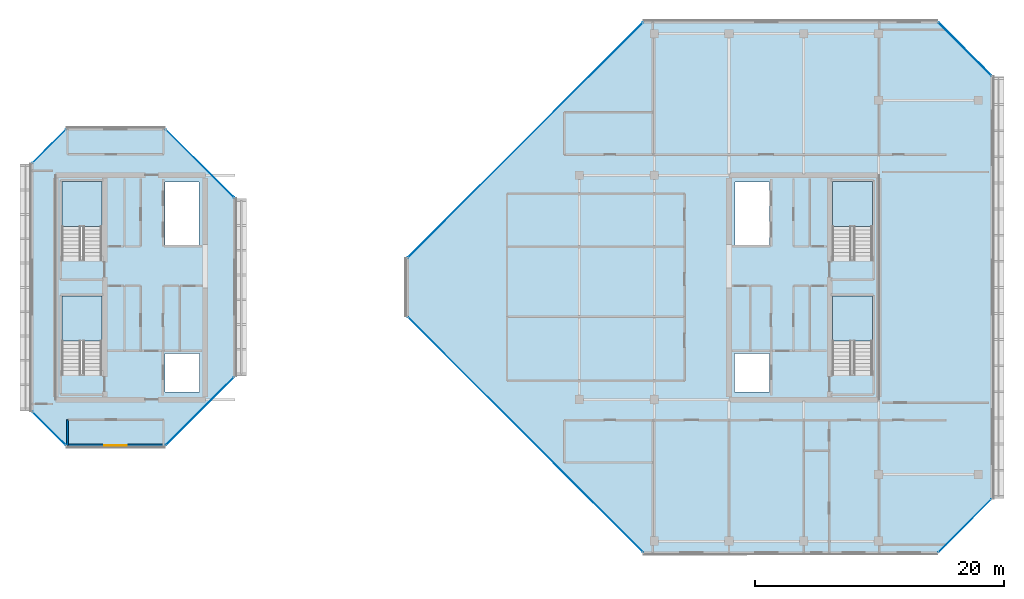
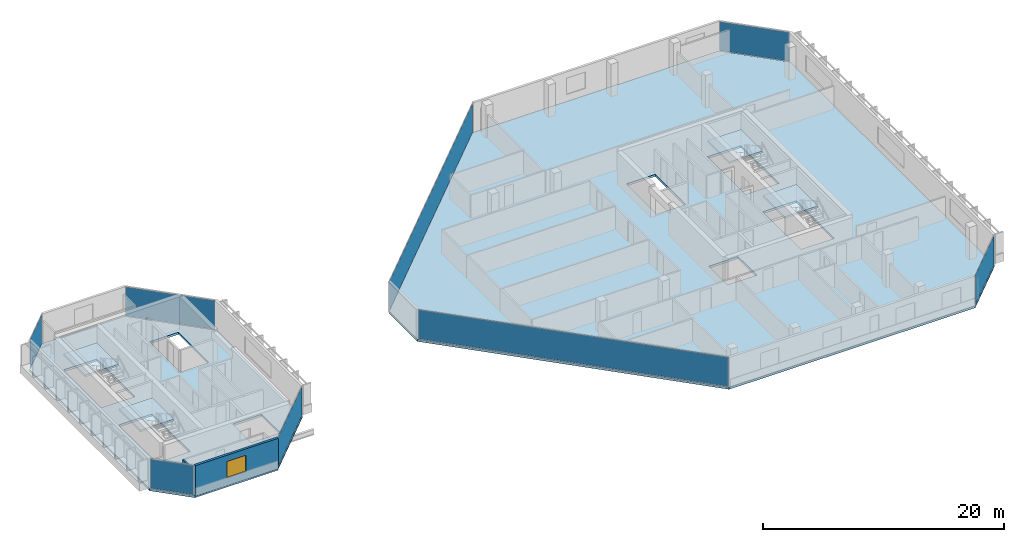
# One storey, part 20 of 29: 8 plates, 6 slabs, 2 walls, 1 window, 1 opening, 12 elements without a shape of their own.
"""IFC4 building model written with IfcOpenShell, lengths in metres."""

from ifc_helpers import new_model, si_unit, direction, frame, frame_2d, origin, origin_2d, place, context, subcontext, project, spatial, polyline, rectangle, outline, extrude, material, layer, layer_set, type_object, element, fill, aggregate, save


model = new_model("IFC4")

# Units and contexts
model_context = context("Model", 3, precision=1e-05, world=origin(), true_north=direction((0.0, 1.0)))
body_context = subcontext(model_context, "Body", "Model", "MODEL_VIEW")
ifc_project = project(units=[si_unit("LENGTHUNIT", "METRE"), si_unit("AREAUNIT", "SQUARE_METRE"), si_unit("VOLUMEUNIT", "CUBIC_METRE"), si_unit("PLANEANGLEUNIT", "RADIAN"), si_unit("MASSUNIT", "GRAM", prefix="KILO")], contexts=[model_context])

# Site, building, storey
site_placement = place(None, origin())
site = spatial("IfcSite", under=ifc_project, at=site_placement, CompositionType="ELEMENT")
building_placement = place(site_placement, origin())
building = spatial("IfcBuilding", under=site, at=building_placement, Name="Tanjung Sevakor Pilgrim Tower", CompositionType="ELEMENT")
storey_placement = place(building_placement, frame((0.0, 0.0, 232.64990234375)))
storey = spatial("IfcBuildingStorey", under=building, at=storey_placement, Name="L65", CompositionType="ELEMENT", Elevation=232.64990234375)

# Stair, slab
ifc_material_1 = material(Name="Concrete C40/50", Category="concrete")
stair_type = type_object("IfcStairType", Name="STAIR-ST-CR150", PredefinedType="HALF_TURN_STAIR", material=ifc_material_1)
stair_1_placement = place(storey_placement, origin())
stair_1 = element("IfcStair", 1, at=stair_1_placement, inside=storey, type_object=stair_type, Name="L65 West Core Exit Stair 1", PredefinedType="HALF_TURN_STAIR")
ifc_material_2 = material(Name="Concrete C40/50", Category="concrete")
ifc_layer_1 = layer(ifc_material_2, 0.199951171875)
ifc_layer_set_1 = layer_set([ifc_layer_1], Name="SL-LAND-200")
slab_type_1 = type_object("IfcSlabType", Name="SL-LAND-200", PredefinedType="LANDING", material=ifc_layer_set_1)
slab_1_placement = place(storey_placement, frame((0.0, 0.0, 1.4501953125)))
slab_1 = element("IfcSlab", 2, at=slab_1_placement, type_object=slab_type_1, Name="TS-W1 landing 1", PredefinedType="LANDING", context=body_context, shape_type="SweptSolid", body=[
    extrude(outline(polyline([(27.699951171875, 29.300048828125), (27.699951171875, 32.89990234375), (24.5, 32.89990234375), (24.5, 29.300048828125), (27.699951171875, 29.300048828125)])), origin(), (0.0, 0.0, 1.0), 0.199951171875),
])
aggregate(stair_1, [slab_1])

stair_2_placement = place(storey_placement, origin())
stair_2 = element("IfcStair", 3, at=stair_2_placement, inside=storey, type_object=stair_type, Name="L65 West Core Exit Stair 2", PredefinedType="HALF_TURN_STAIR")
slab_2_placement = place(storey_placement, frame((0.0, 0.0, 1.4501953125)))
slab_2 = element("IfcSlab", 4, at=slab_2_placement, type_object=slab_type_1, Name="TS-W2 landing 1", PredefinedType="LANDING", context=body_context, shape_type="SweptSolid", body=[
    extrude(outline(polyline([(27.699951171875, 38.5), (27.699951171875, 42.10009765625), (24.5, 42.10009765625), (24.5, 38.5), (27.699951171875, 38.5)])), origin(), (0.0, 0.0, 1.0), 0.199951171875),
])
aggregate(stair_2, [slab_2])

stair_3_placement = place(storey_placement, origin())
stair_3 = element("IfcStair", 5, at=stair_3_placement, inside=storey, type_object=stair_type, Name="L65 East Core Exit Stair 1", PredefinedType="HALF_TURN_STAIR")
slab_3_placement = place(storey_placement, frame((0.0, 0.0, 1.4501953125)))
slab_3 = element("IfcSlab", 6, at=slab_3_placement, type_object=slab_type_1, Name="TS-E1 landing 1", PredefinedType="LANDING", context=body_context, shape_type="SweptSolid", body=[
    extrude(outline(polyline([(89.5, 29.300048828125), (89.5, 32.89990234375), (86.300048828125, 32.89990234375), (86.300048828125, 29.300048828125), (89.5, 29.300048828125)])), origin(), (0.0, 0.0, 1.0), 0.199951171875),
])
aggregate(stair_3, [slab_3])

stair_4_placement = place(storey_placement, origin())
stair_4 = element("IfcStair", 7, at=stair_4_placement, inside=storey, type_object=stair_type, Name="L65 East Core Exit Stair 2", PredefinedType="HALF_TURN_STAIR")
slab_4_placement = place(storey_placement, frame((0.0, 0.0, 1.4501953125)))
slab_4 = element("IfcSlab", 8, at=slab_4_placement, type_object=slab_type_1, Name="TS-E2 landing 1", PredefinedType="LANDING", context=body_context, shape_type="SweptSolid", body=[
    extrude(outline(polyline([(89.5, 38.5), (89.5, 42.10009765625), (86.300048828125, 42.10009765625), (86.300048828125, 38.5), (89.5, 38.5)])), origin(), (0.0, 0.0, 1.0), 0.199951171875),
])
aggregate(stair_4, [slab_4])

# Slabs
ifc_material_3 = material(Name="Concrete C40/50", Category="concrete")
ifc_layer_2 = layer(ifc_material_3, 0.219970703125)
ifc_layer_set_2 = layer_set([ifc_layer_2], Name="SL-TWR-220")
slab_type_2 = type_object("IfcSlabType", Name="SL-TWR-220", PredefinedType="FLOOR", material=ifc_layer_set_2)
slab_5_placement = place(storey_placement, frame((0.0, 0.0, -0.219970703125)))
element("IfcSlab", 9, at=slab_5_placement, inside=storey, type_object=slab_type_2, Name="L65 Floor Slab WEST", PredefinedType="FLOOR", context=body_context, shape_type="SweptSolid", body=[
    extrude(outline(polyline([(24.846923828125, 20.8798828125), (32.802978515625, 20.8798828125), (38.3701171875, 26.447021484375), (38.3701171875, 40.753173828125), (32.802978515625, 46.320068359375), (24.846923828125, 46.320068359375), (22.080078125, 43.552978515625), (22.080078125, 23.64697265625), (24.846923828125, 20.8798828125)]), holes=[polyline([(27.699951171875, 26.60009765625), (27.699951171875, 32.89990234375), (24.5, 32.89990234375), (24.5, 26.60009765625), (27.699951171875, 26.60009765625)]), polyline([(27.699951171875, 35.800048828125), (27.699951171875, 42.10009765625), (24.5, 42.10009765625), (24.5, 35.800048828125), (27.699951171875, 35.800048828125)]), polyline([(32.75, 25.199951171875), (35.550048828125, 25.199951171875), (35.550048828125, 28.300048828125), (32.75, 28.300048828125), (32.75, 25.199951171875)]), polyline([(32.75, 37.0), (35.5, 37.0), (35.5, 42.050048828125), (32.75, 42.050048828125), (32.75, 37.0)])]), origin(), (0.0, 0.0, 1.0), 0.219970703125),
])
slab_6_placement = place(storey_placement, frame((0.0, 0.0, -0.219970703125)))
element("IfcSlab", 10, at=slab_6_placement, inside=storey, type_object=slab_type_2, Name="L65 Floor Slab EAST", PredefinedType="FLOOR", context=body_context, shape_type="SweptSolid", body=[
    extrude(outline(polyline([(71.14697265625, 12.280029296875), (94.753173828125, 12.280029296875), (99.1201171875, 16.64697265625), (99.1201171875, 50.552978515625), (94.753173828125, 54.919921875), (71.14697265625, 54.919921875), (52.179931640625, 35.953125), (52.179931640625, 31.246826171875), (71.14697265625, 12.280029296875)]), holes=[polyline([(89.5, 26.60009765625), (89.5, 32.89990234375), (86.300048828125, 32.89990234375), (86.300048828125, 26.60009765625), (89.5, 26.60009765625)]), polyline([(89.5, 35.800048828125), (89.5, 42.10009765625), (86.300048828125, 42.10009765625), (86.300048828125, 35.800048828125), (89.5, 35.800048828125)]), polyline([(78.449951171875, 25.199951171875), (81.25, 25.199951171875), (81.25, 28.300048828125), (78.449951171875, 28.300048828125), (78.449951171875, 25.199951171875)]), polyline([(78.5, 37.0), (81.25, 37.0), (81.25, 42.050048828125), (78.5, 42.050048828125), (78.5, 37.0)])]), origin(), (0.0, 0.0, 1.0), 0.219970703125),
])

# Curtain wall, plate
ifc_material_4 = material(Name="Aluminium 6063-T6 and Low-E Glass", Category="aluminium")
ifc_layer_3 = layer(ifc_material_4, 0.179931640625)
ifc_layer_set_3 = layer_set([ifc_layer_3], Name="CW-SYS-CHAM")
curtain_wall_type = type_object("IfcCurtainWallType", Name="CW-SYS-CHAM", PredefinedType="NOTDEFINED", material=ifc_layer_set_3)
curtain_wall_1_placement = place(storey_placement, origin())
curtain_wall_1 = element("IfcCurtainWall", 11, at=curtain_wall_1_placement, inside=storey, type_object=curtain_wall_type, Name="L65 Curtain Wall CW-CHM-L65-WEST-1", PredefinedType="NOTDEFINED")
ifc_material_5 = material(Name="Laminated Low-E Double Glazing", Category="glass")
ifc_layer_4 = layer(ifc_material_5, 0.028076171875)
ifc_layer_set_4 = layer_set([ifc_layer_4], Name="TYPE-CWP-GLZ1")
plate_type = type_object("IfcPlateType", Name="TYPE-CWP-GLZ1", PredefinedType="CURTAIN_PANEL", material=ifc_layer_set_4)
plate_1_placement = place(storey_placement, frame((35.572265625, 23.677734375, 0.06494140625), z_axis=(0.0, 0.0, 1.0), x_axis=(0.707106781187, 0.707106781187, 0.0)))
plate_1 = element("IfcPlate", 12, at=plate_1_placement, type_object=plate_type, Name="CW-CHM panel 1.1", PredefinedType="CURTAIN_PANEL", context=body_context, shape_type="SweptSolid", body=[
    extrude(rectangle(XDim=7.698486328125, YDim=0.028076171875, at=origin_2d()), origin(), (0.0, 0.0, 1.0), 2.949951171875),
])
aggregate(curtain_wall_1, [plate_1])

curtain_wall_2_placement = place(storey_placement, origin())
curtain_wall_2 = element("IfcCurtainWall", 13, at=curtain_wall_2_placement, inside=storey, type_object=curtain_wall_type, Name="L65 Curtain Wall CW-CHM-L65-WEST-3", PredefinedType="NOTDEFINED")
plate_2_placement = place(storey_placement, frame((35.572265625, 43.522216796875, 0.06494140625), z_axis=(0.0, 0.0, 1.0), x_axis=(-0.707106781187, 0.707106781187, 0.0)))
plate_2 = element("IfcPlate", 14, at=plate_2_placement, type_object=plate_type, Name="CW-CHM panel 1.1", PredefinedType="CURTAIN_PANEL", context=body_context, shape_type="SweptSolid", body=[
    extrude(rectangle(XDim=7.698486328125, YDim=0.028076171875, at=origin_2d()), origin(), (0.0, 0.0, 1.0), 2.949951171875),
])
aggregate(curtain_wall_2, [plate_2])

curtain_wall_3_placement = place(storey_placement, origin())
curtain_wall_3 = element("IfcCurtainWall", 15, at=curtain_wall_3_placement, inside=storey, type_object=curtain_wall_type, Name="L65 Curtain Wall CW-CHM-L65-WEST-5", PredefinedType="NOTDEFINED")
plate_3_placement = place(storey_placement, frame((23.477783203125, 44.922119140625, 0.06494140625), z_axis=(0.0, 0.0, 1.0), x_axis=(-0.707106781187, -0.707106781187, 0.0)))
plate_3 = element("IfcPlate", 16, at=plate_3_placement, type_object=plate_type, Name="CW-CHM panel 1.1", PredefinedType="CURTAIN_PANEL", context=body_context, shape_type="SweptSolid", body=[
    extrude(rectangle(XDim=3.73876953125, YDim=0.028076171875, at=origin_2d()), origin(), (0.0, 0.0, 1.0), 2.949951171875),
])
aggregate(curtain_wall_3, [plate_3])

curtain_wall_4_placement = place(storey_placement, origin())
curtain_wall_4 = element("IfcCurtainWall", 17, at=curtain_wall_4_placement, inside=storey, type_object=curtain_wall_type, Name="L65 Curtain Wall CW-CHM-L65-WEST-7", PredefinedType="NOTDEFINED")
plate_4_placement = place(storey_placement, frame((23.477783203125, 22.27783203125, 0.06494140625), z_axis=(0.0, 0.0, 1.0), x_axis=(0.707106781187, -0.707106781187, 0.0)))
plate_4 = element("IfcPlate", 18, at=plate_4_placement, type_object=plate_type, Name="CW-CHM panel 1.1", PredefinedType="CURTAIN_PANEL", context=body_context, shape_type="SweptSolid", body=[
    extrude(rectangle(XDim=3.73876953125, YDim=0.028076171875, at=origin_2d()), origin(), (0.0, 0.0, 1.0), 2.949951171875),
])
aggregate(curtain_wall_4, [plate_4])

curtain_wall_5_placement = place(storey_placement, origin())
curtain_wall_5 = element("IfcCurtainWall", 19, at=curtain_wall_5_placement, inside=storey, type_object=curtain_wall_type, Name="L65 Curtain Wall CW-CHM-L65-EAST-1", PredefinedType="NOTDEFINED")
plate_5_placement = place(storey_placement, frame((96.922119140625, 14.477783203125, 0.06494140625), z_axis=(0.0, 0.0, 1.0), x_axis=(0.707106781187, 0.707106781187, 0.0)))
plate_5 = element("IfcPlate", 20, at=plate_5_placement, type_object=plate_type, Name="CW-CHM panel 1.1", PredefinedType="CURTAIN_PANEL", context=body_context, shape_type="SweptSolid", body=[
    extrude(rectangle(XDim=6.00146484375, YDim=0.028076171875, at=origin_2d()), origin(), (0.0, 0.0, 1.0), 2.949951171875),
])
aggregate(curtain_wall_5, [plate_5])

curtain_wall_6_placement = place(storey_placement, origin())
curtain_wall_6 = element("IfcCurtainWall", 21, at=curtain_wall_6_placement, inside=storey, type_object=curtain_wall_type, Name="L65 Curtain Wall CW-CHM-L65-EAST-3", PredefinedType="NOTDEFINED")
plate_6_placement = place(storey_placement, frame((96.922119140625, 52.72216796875, 0.06494140625), z_axis=(0.0, 0.0, 1.0), x_axis=(-0.707106781187, 0.707106781187, 0.0)))
plate_6 = element("IfcPlate", 22, at=plate_6_placement, type_object=plate_type, Name="CW-CHM panel 1.1", PredefinedType="CURTAIN_PANEL", context=body_context, shape_type="SweptSolid", body=[
    extrude(rectangle(XDim=6.00146484375, YDim=0.028076171875, at=origin_2d()), origin(), (0.0, 0.0, 1.0), 2.949951171875),
])
aggregate(curtain_wall_6, [plate_6])

curtain_wall_7_placement = place(storey_placement, origin())
curtain_wall_7 = element("IfcCurtainWall", 23, at=curtain_wall_7_placement, inside=storey, type_object=curtain_wall_type, Name="L65 Curtain Wall CW-CHM-L65-EAST-5", PredefinedType="NOTDEFINED")
plate_7_placement = place(storey_placement, frame((61.677734375, 45.422119140625, 0.06494140625), z_axis=(0.0, 0.0, 1.0), x_axis=(-0.707106781187, -0.707106781187, 0.0)))
plate_7 = element("IfcPlate", 24, at=plate_7_placement, type_object=plate_type, Name="CW-CHM panel 1.1", PredefinedType="CURTAIN_PANEL", context=body_context, shape_type="SweptSolid", body=[
    extrude(rectangle(XDim=26.64892578125, YDim=0.028076171875, at=origin_2d()), origin(), (0.0, 0.0, 1.0), 2.949951171875),
])
aggregate(curtain_wall_7, [plate_7])

curtain_wall_8_placement = place(storey_placement, origin())
curtain_wall_8 = element("IfcCurtainWall", 25, at=curtain_wall_8_placement, inside=storey, type_object=curtain_wall_type, Name="L65 Curtain Wall CW-CHM-L65-EAST-7", PredefinedType="NOTDEFINED")
plate_8_placement = place(storey_placement, frame((61.677734375, 21.77783203125, 0.06494140625), z_axis=(0.0, 0.0, 1.0), x_axis=(0.707106781187, -0.707106781187, 0.0)))
plate_8 = element("IfcPlate", 26, at=plate_8_placement, type_object=plate_type, Name="CW-CHM panel 1.1", PredefinedType="CURTAIN_PANEL", context=body_context, shape_type="SweptSolid", body=[
    extrude(rectangle(XDim=26.64892578125, YDim=0.028076171875, at=origin_2d()), origin(), (0.0, 0.0, 1.0), 2.949951171875),
])
aggregate(curtain_wall_8, [plate_8])

# Wall
ifc_material_6 = material(Name="Concrete C40/50", Category="concrete")
ifc_layer_5 = layer(ifc_material_6, 0.14990234375)
ifc_layer_set_5 = layer_set([ifc_layer_5], Name="WT-COMP-150")
wall_type_1 = type_object("IfcWallType", Name="WT-COMP-150", PredefinedType="SOLIDWALL", material=ifc_layer_set_5)
wall_1_placement = place(storey_placement, frame((24.949951171875, 20.919921875, 0.0), z_axis=(0.0, 0.0, 1.0), x_axis=(0.0, 1.0, 0.0)))
element("IfcWall", 27, at=wall_1_placement, inside=storey, type_object=wall_type_1, Name="L65 Partition IW-L65-034", PredefinedType="SOLIDWALL", context=body_context, shape_type="SweptSolid", body=[
    extrude(rectangle(XDim=2.06005859375, YDim=0.14990234375, at=frame_2d((1.030029296875, 0.0))), origin(), (0.0, 0.0, 1.0), 2.35009765625),
])

# Wall, opening, window
ifc_material_7 = material(Name="Precast concrete C45/55", Category="concrete")
ifc_layer_6 = layer(ifc_material_7, 0.219970703125)
ifc_layer_set_6 = layer_set([ifc_layer_6], Name="WT-EW-STN4")
wall_type_2 = type_object("IfcWallType", Name="WT-EW-STN4", PredefinedType="SOLIDWALL", material=ifc_layer_set_6)
wall_2_placement = place(storey_placement, frame((24.845703125, 20.909912109375, 0.0), z_axis=(0.0, 0.0, 1.0), x_axis=(1.0, 0.0, 0.0)))
wall_2 = element("IfcWall", 28, at=wall_2_placement, inside=storey, type_object=wall_type_2, Name="L65 WEST Exterior Wall 1", PredefinedType="SOLIDWALL", context=body_context, shape_type="SweptSolid", body=[
    extrude(rectangle(XDim=7.958740234375, YDim=0.219970703125, at=frame_2d((3.9794921875, 0.0))), origin(), (0.0, 0.0, 1.0), 3.080078125),
])
opening_placement = place(wall_2_placement, frame((3.054443359375, 0.0, 0.780029296875)))
opening = element("IfcOpeningElement", 29, at=opening_placement, cuts=wall_2, Name="Opening WN-Z3-1660", PredefinedType="OPENING", context=body_context, shape_type="SweptSolid", body=[
    extrude(rectangle(XDim=1.800048828125, YDim=1.659912109375, at=frame_2d((0.89990234375, 0.830078125))), frame((0.0, 0.119873046875, 0.0), z_axis=(0.0, -1.0, 0.0), x_axis=(1.0, 0.0, 0.0)), (0.0, 0.0, 1.0), 0.239990234375),
])
ifc_material_8 = material(Name="Thermally Broken Aluminium and Low-E Glass", Category="aluminium")
window_type = type_object("IfcWindowType", Name="WTYP-WN-Z3-1660", PartitioningType="DOUBLE_PANEL_VERTICAL", PredefinedType="WINDOW", material=ifc_material_8)
window_placement = place(opening_placement, origin())
window = element("IfcWindow", 30, at=window_placement, inside=storey, type_object=window_type, Name="L65 Facade Window 01", OverallHeight=1.659912109375, OverallWidth=1.800048828125, PartitioningType="SINGLE_PANEL", PredefinedType="WINDOW", context=body_context, shape_type="SweptSolid", body=[
    extrude(rectangle(XDim=1.800048828125, YDim=1.659912109375, at=frame_2d((0.89990234375, 0.830078125))), frame((0.0, 0.030029296875, 0.0), z_axis=(0.0, -1.0, 0.0), x_axis=(1.0, 0.0, 0.0)), (0.0, 0.0, 1.0), 0.06005859375),
])
fill(opening, window)

save(model, "model.ifc")
